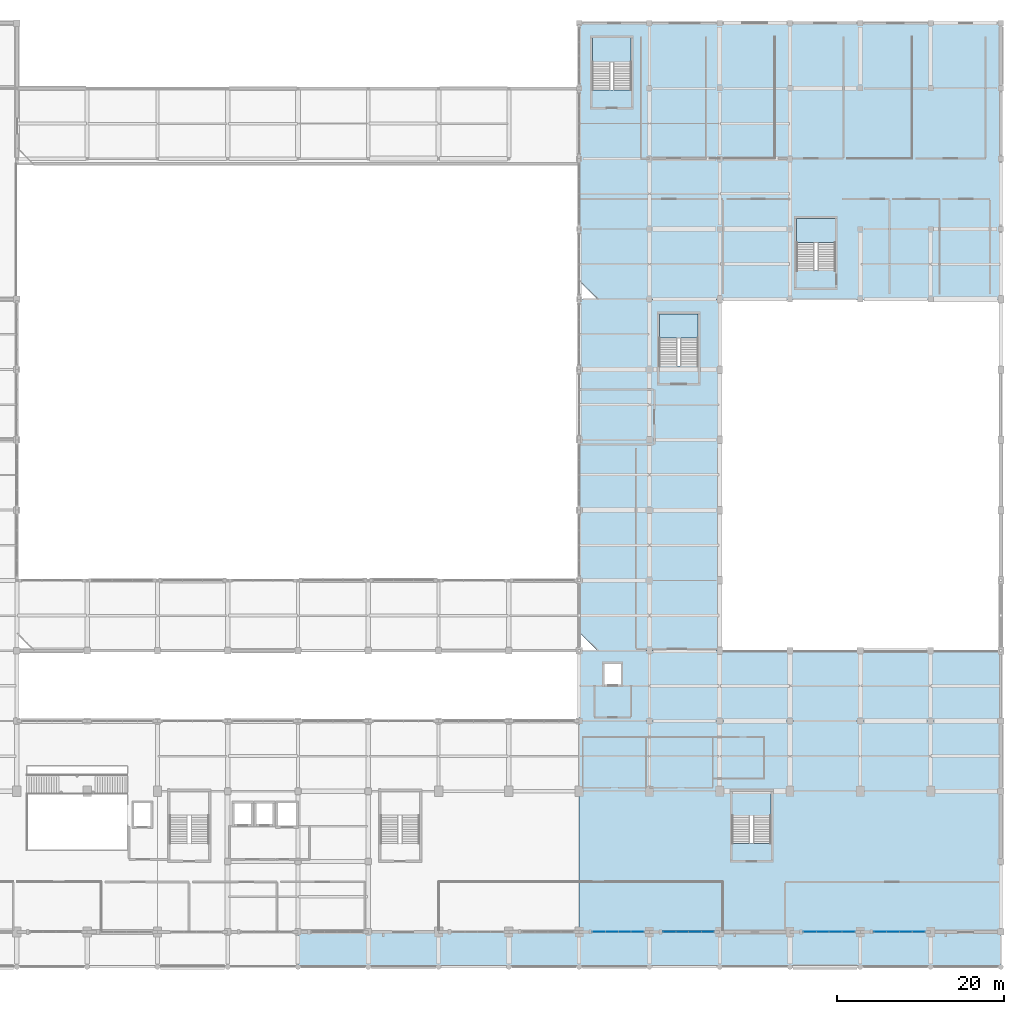
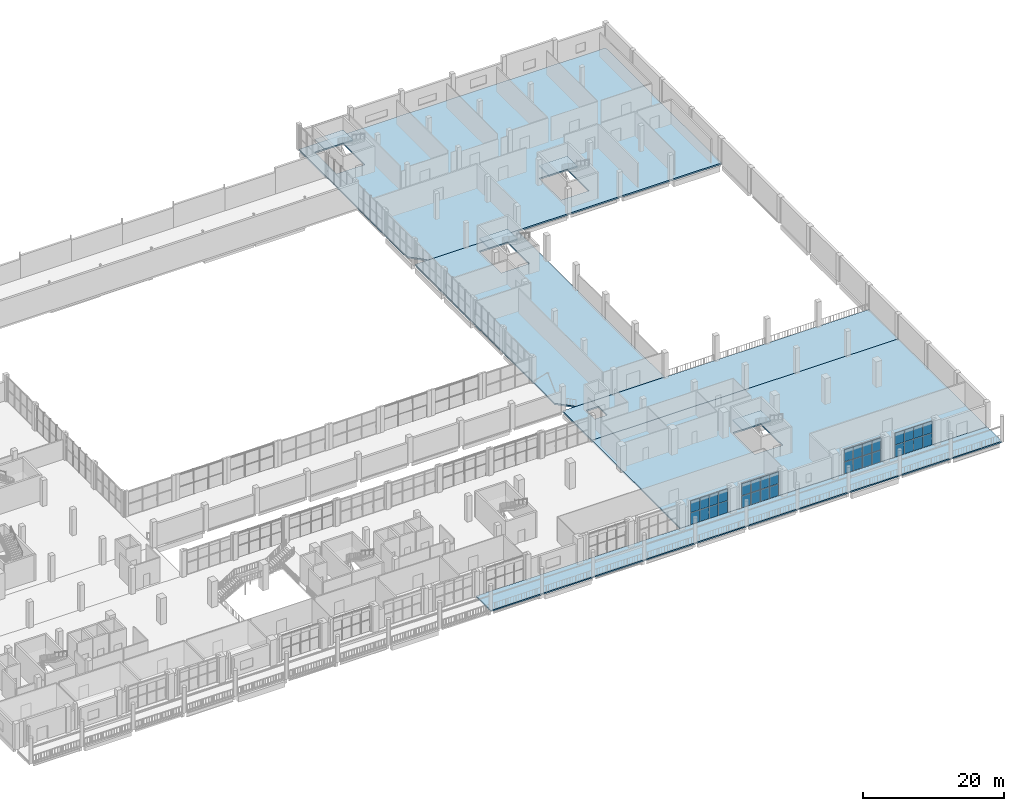
# One storey, part 51 of 75: 32 plates, 9 slabs, 8 elements without a shape of their own.
"""IFC4 building model written with IfcOpenShell, lengths in metres."""

import ifcopenshell
import ifcopenshell.guid

model = None  # the IFC model being written
_history = None  # IfcOwnerHistory: only IFC2X3 demands one
_inside = {}  # id of a spatial element -> (the spatial element, [elements in it])
_under = {}  # id of a project, library or spatial element -> (it, [spatial elements below it])
_declared = {}  # id of a project -> (the project, [libraries it declares])
_typed = {}  # id of a type object -> (the type object, [elements of that type])
_made_of = {}  # id of a material, layer set ... -> (it, [elements and type objects made of it])


def new_model(schema):
    """Start an empty IFC model of exactly this schema.

    Asked for "IFC4X3", IfcOpenShell would pick the latest addendum, in which some entities
    have other attributes; the version numbers below select the first issue.
    IFC2X3 requires an IfcOwnerHistory on every rooted entity: one is made here for all.
    """
    global model, _history
    if schema == "IFC4X3":
        model = ifcopenshell.file(schema_version=(4, 3, 0, 0))
    else:
        model = ifcopenshell.file(schema=schema)
    _inside.clear()
    _under.clear()
    _declared.clear()
    _typed.clear()
    _made_of.clear()
    _history = None
    if model.schema == "IFC2X3":
        org = make("IfcOrganization", Name="unknown")
        user = make(
            "IfcPersonAndOrganization",
            ThePerson=make("IfcPerson", FamilyName="unknown"),
            TheOrganization=org,
        )
        app = make(
            "IfcApplication",
            ApplicationDeveloper=org,
            Version="unknown",
            ApplicationFullName="unknown",
            ApplicationIdentifier="unknown",
        )
        _history = make(
            "IfcOwnerHistory",
            OwningUser=user,
            OwningApplication=app,
            ChangeAction="ADDED",
            CreationDate=0,
        )
    return model


def make(cls, **values):
    """One entity of the class cls with the attributes given. An attribute that is None is left unset."""
    return model.create_entity(
        cls, **{name: value for name, value in values.items() if value is not None}
    )


def rooted(cls, **values):
    """An entity with a GlobalId (a new one), such as an element, a storey or a relation."""
    return make(cls, GlobalId=ifcopenshell.guid.new(), OwnerHistory=_history, **values)


def si_unit(unit_type, name, prefix=None):
    """IfcSIUnit, for example si_unit("LENGTHUNIT", "METRE", prefix="MILLI")."""
    return make("IfcSIUnit", UnitType=unit_type, Prefix=prefix, Name=name)


def derived_unit(unit_type, elements):
    """IfcDerivedUnit: a product of units, each with its exponent."""
    return make(
        "IfcDerivedUnit",
        Elements=[
            make("IfcDerivedUnitElement", Unit=unit, Exponent=power)
            for unit, power in elements
        ],
        UnitType=unit_type,
    )


def assignment(units):
    """IfcUnitAssignment: the units of a project."""
    return None if units is None else make("IfcUnitAssignment", Units=units)


def point(xyz):
    """IfcCartesianPoint."""
    return None if xyz is None else make("IfcCartesianPoint", Coordinates=xyz)


def direction(xyz):
    """IfcDirection."""
    return None if xyz is None else make("IfcDirection", DirectionRatios=xyz)


def frame(location, z_axis=None, x_axis=None):
    """IfcAxis2Placement3D, a coordinate frame: its origin and axes. An axis left out is left unset."""
    return make(
        "IfcAxis2Placement3D",
        Location=point(location),
        Axis=direction(z_axis),
        RefDirection=direction(x_axis),
    )


def frame_2d(location, x_axis=None):
    """IfcAxis2Placement2D, a coordinate frame in the plane: its origin and x axis."""
    return make(
        "IfcAxis2Placement2D", Location=point(location), RefDirection=direction(x_axis)
    )


def origin():
    """The frame at (0, 0, 0) with its axes left unset."""
    return frame((0.0, 0.0, 0.0))


def origin_2d():
    """The frame at (0, 0) in the plane with its x axis left unset."""
    return frame_2d((0.0, 0.0))


def place(relative_to, where):
    """IfcLocalPlacement: puts the frame where relative to a parent placement (None: the world)."""
    return make(
        "IfcLocalPlacement", PlacementRelTo=relative_to, RelativePlacement=where
    )


def context(
    kind, dimensions, precision=None, world=None, true_north=None, identifier=None
):
    """IfcGeometricRepresentationContext, for example the 3D "Model" context."""
    return make(
        "IfcGeometricRepresentationContext",
        ContextIdentifier=identifier,
        ContextType=kind,
        CoordinateSpaceDimension=dimensions,
        Precision=precision,
        WorldCoordinateSystem=world,
        TrueNorth=true_north,
    )


def subcontext(parent, identifier, kind, view, scale=None):
    """IfcGeometricRepresentationSubContext, for example "Body" below "Model"."""
    return make(
        "IfcGeometricRepresentationSubContext",
        ContextIdentifier=identifier,
        ContextType=kind,
        ParentContext=parent,
        TargetScale=scale,
        TargetView=view,
    )


def project(units=None, contexts=None):
    """IfcProject with its units and contexts."""
    return rooted(
        "IfcProject",
        Name="project",
        RepresentationContexts=contexts,
        UnitsInContext=assignment(units),
    )


def spatial(cls, under=None, at=None, **own):
    """A site, building, storey or space (cls), placed at a placement, below another one or the project."""
    s = rooted(cls, ObjectPlacement=at, **own)
    if under is not None:
        _under.setdefault(under.id(), (under, []))[1].append(s)
    return s


def polyline(points):
    """IfcPolyline through the points."""
    return make("IfcPolyline", Points=[point(p) for p in points])


def profile(cls, at=None, kind="AREA", **sizes):
    """A parametric profile (cls). Its sizes go by their IFC names, for example OverallWidth=200.0."""
    return make(cls, ProfileType=kind, Position=at, **sizes)


def rectangle(**sizes):
    """IfcRectangleProfileDef."""
    return profile("IfcRectangleProfileDef", **sizes)


def outline(outer, holes=None, kind="AREA"):
    """IfcArbitraryClosedProfileDef: a profile drawn as a closed curve; with holes, ...WithVoids."""
    if holes is None:
        return make("IfcArbitraryClosedProfileDef", ProfileType=kind, OuterCurve=outer)
    return make(
        "IfcArbitraryProfileDefWithVoids",
        ProfileType=kind,
        OuterCurve=outer,
        InnerCurves=holes,
    )


def extrude(swept, where, along, depth):
    """IfcExtrudedAreaSolid: the profile swept, set in the frame where, extruded along a direction by depth."""
    return make(
        "IfcExtrudedAreaSolid",
        SweptArea=swept,
        Position=where,
        ExtrudedDirection=direction(along),
        Depth=depth,
    )


def shape(context_of_items, identifier, shape_type, items):
    """IfcShapeRepresentation: the items that make up one representation, for example the "Body"."""
    return make(
        "IfcShapeRepresentation",
        ContextOfItems=context_of_items,
        RepresentationIdentifier=identifier,
        RepresentationType=shape_type,
        Items=items,
    )


def material(Name=None, Category=None):
    """IfcMaterial."""
    return make("IfcMaterial", Name=Name, Category=Category)


def layer(
    of_material, thickness, ventilated=None, Name=None, Category=None, Priority=None
):
    """IfcMaterialLayer: one layer of a wall or slab, of a material (None: an air gap)."""
    return make(
        "IfcMaterialLayer",
        Material=of_material,
        LayerThickness=thickness,
        IsVentilated=ventilated,
        Name=Name,
        Category=Category,
        Priority=Priority,
    )


def layer_set(layers, Name=None):
    """IfcMaterialLayerSet."""
    return make("IfcMaterialLayerSet", MaterialLayers=layers, LayerSetName=Name)


def made_of(thing, what):
    """Note that an element or type object is made of a material, layer set ...; save() writes the relation."""
    if what is not None:
        _made_of.setdefault(what.id(), (what, []))[1].append(thing)
    return thing


def type_object(cls, material=None, **own):
    """A type object (cls), such as IfcWallType, which elements share."""
    return made_of(rooted(cls, **own), material)


def element(
    cls,
    number,
    at=None,
    inside=None,
    cuts=None,
    type_object=None,
    material=None,
    context=None,
    identifier="Body",
    shape_type=None,
    held_by="IfcProductDefinitionShape",
    body=None,
    shapes=None,
    **own,
):
    """One element of the class cls, such as IfcWall. Its Tag is "e" and its number.

    at: its placement. inside: the storey or other place that contains it. cuts: it is an
    opening in that element (IfcRelVoidsElement). A single representation is given by context,
    identifier, shape_type and body (its items); several are given by shapes. held_by: the class
    of the entity that holds the representations. save() writes the other relations.
    """
    e = rooted(cls, Tag="e%d" % number, ObjectPlacement=at, **own)
    if body is not None:
        shapes = [shape(context, identifier, shape_type, body)]
    if shapes is not None:
        e.Representation = make(held_by, Representations=shapes)
    if inside is not None:
        _inside.setdefault(inside.id(), (inside, []))[1].append(e)
    if cuts is not None:
        rooted(
            "IfcRelVoidsElement", RelatingBuildingElement=cuts, RelatedOpeningElement=e
        )
    if type_object is not None:
        _typed.setdefault(type_object.id(), (type_object, []))[1].append(e)
    return made_of(e, material)


def aggregate(whole, parts):
    """IfcRelAggregates: a whole, such as a stair, and the parts it consists of."""
    return rooted("IfcRelAggregates", RelatingObject=whole, RelatedObjects=parts)


def save(model, path):
    """Write the relations noted so far, then the file.

    IfcRelAggregates (storeys below a building ...), IfcRelContainedInSpatialStructure (elements
    in a storey), IfcRelDefinesByType, IfcRelAssociatesMaterial and IfcRelDeclares: one each for
    every whole, place, type object, material and project.
    """
    for whole, parts in _under.values():
        aggregate(whole, parts)
    for where, things in _inside.values():
        rooted(
            "IfcRelContainedInSpatialStructure",
            RelatedElements=things,
            RelatingStructure=where,
        )
    for kind, things in _typed.values():
        rooted("IfcRelDefinesByType", RelatedObjects=things, RelatingType=kind)
    for what, things in _made_of.values():
        rooted("IfcRelAssociatesMaterial", RelatedObjects=things, RelatingMaterial=what)
    for by, libraries in _declared.values():
        rooted("IfcRelDeclares", RelatingContext=by, RelatedDefinitions=libraries)
    model.write(path)


model = new_model("IFC4")

# Units and contexts
model_context = context("Model", 3, precision=1e-05, world=origin(), true_north=direction((0.0, 1.0)))
body_context = subcontext(model_context, "Body", "Model", "MODEL_VIEW")
ifc_project = project(units=[si_unit("LENGTHUNIT", "METRE"), si_unit("AREAUNIT", "SQUARE_METRE"), si_unit("VOLUMEUNIT", "CUBIC_METRE"), si_unit("PLANEANGLEUNIT", "RADIAN"), si_unit("MASSUNIT", "GRAM", prefix="KILO"), derived_unit("THERMALTRANSMITTANCEUNIT", [(si_unit("POWERUNIT", "WATT"), 1), (si_unit("LENGTHUNIT", "METRE"), -2), (si_unit("THERMODYNAMICTEMPERATUREUNIT", "KELVIN"), -1)])], contexts=[model_context])

# Site, building, storey
site_placement = place(None, origin())
site = spatial("IfcSite", under=ifc_project, at=site_placement, CompositionType="ELEMENT")
building_placement = place(site_placement, origin())
building = spatial("IfcBuilding", under=site, at=building_placement, Name="Barrovel Congress Hotel", CompositionType="ELEMENT")
storey_placement = place(building_placement, frame((0.0, 0.0, 5.39990234375)))
storey = spatial("IfcBuildingStorey", under=building, at=storey_placement, Name="L01", CompositionType="ELEMENT", Elevation=5.39990234375)

# Curtain wall, plates
ifc_material_1 = material(Name="Anodised Aluminium Alloy 6063-T6", Category="aluminium")
curtain_wall_type = type_object("IfcCurtainWallType", Name="CW-ST-7200x3900", PredefinedType="USERDEFINED", material=ifc_material_1)
curtain_wall_1_placement = place(storey_placement, origin())
curtain_wall_1 = element("IfcCurtainWall", 1, at=curtain_wall_1_placement, inside=storey, type_object=curtain_wall_type, Name="CW:L01:S:16", ObjectType="STICK CURTAIN WALL", PredefinedType="USERDEFINED")
ifc_material_2 = material(Name="Double Low-E Insulated Glazing", Category="glass")
ifc_layer_1 = layer(ifc_material_2, 0.028076171875)
ifc_layer_set_1 = layer_set([ifc_layer_1], Name="Double Low-E Insulated Glazing")
plate_type_1 = type_object("IfcPlateType", Name="CWP-28", PredefinedType="CURTAIN_PANEL", material=ifc_layer_set_1)
plate_1_placement = place(storey_placement, frame((136.784912109375, 4.199951171875, 0.0302734375), z_axis=(0.0, 0.0, 1.0), x_axis=(1.0, 0.0, 0.0)))
plate_1 = element("IfcPlate", 2, at=plate_1_placement, type_object=plate_type_1, Name="CW:L01:S:16:P0-0", PredefinedType="CURTAIN_PANEL", context=body_context, shape_type="SweptSolid", body=[
    extrude(rectangle(XDim=1.469970703125, YDim=0.028076171875, at=origin_2d()), origin(), (0.0, 0.0, 1.0), 2.050048828125),
])
plate_2_placement = place(storey_placement, frame((136.784912109375, 4.199951171875, 2.14013671875), z_axis=(0.0, 0.0, 1.0), x_axis=(1.0, 0.0, 0.0)))
plate_2 = element("IfcPlate", 3, at=plate_2_placement, type_object=plate_type_1, Name="CW:L01:S:16:P0-1", PredefinedType="CURTAIN_PANEL", context=body_context, shape_type="SweptSolid", body=[
    extrude(rectangle(XDim=1.469970703125, YDim=0.028076171875, at=origin_2d()), origin(), (0.0, 0.0, 1.0), 2.050048828125),
])
plate_3_placement = place(storey_placement, frame((138.31494140625, 4.199951171875, 0.0302734375), z_axis=(0.0, 0.0, 1.0), x_axis=(1.0, 0.0, 0.0)))
plate_3 = element("IfcPlate", 4, at=plate_3_placement, type_object=plate_type_1, Name="CW:L01:S:16:P1-0", PredefinedType="CURTAIN_PANEL", context=body_context, shape_type="SweptSolid", body=[
    extrude(rectangle(XDim=1.469970703125, YDim=0.028076171875, at=origin_2d()), origin(), (0.0, 0.0, 1.0), 2.050048828125),
])
plate_4_placement = place(storey_placement, frame((138.31494140625, 4.199951171875, 2.14013671875), z_axis=(0.0, 0.0, 1.0), x_axis=(1.0, 0.0, 0.0)))
plate_4 = element("IfcPlate", 5, at=plate_4_placement, type_object=plate_type_1, Name="CW:L01:S:16:P1-1", PredefinedType="CURTAIN_PANEL", context=body_context, shape_type="SweptSolid", body=[
    extrude(rectangle(XDim=1.469970703125, YDim=0.028076171875, at=origin_2d()), origin(), (0.0, 0.0, 1.0), 2.050048828125),
])
plate_5_placement = place(storey_placement, frame((139.844970703125, 4.199951171875, 0.0302734375), z_axis=(0.0, 0.0, 1.0), x_axis=(1.0, 0.0, 0.0)))
plate_5 = element("IfcPlate", 6, at=plate_5_placement, type_object=plate_type_1, Name="CW:L01:S:16:P2-0", PredefinedType="CURTAIN_PANEL", context=body_context, shape_type="SweptSolid", body=[
    extrude(rectangle(XDim=1.469970703125, YDim=0.028076171875, at=origin_2d()), origin(), (0.0, 0.0, 1.0), 2.050048828125),
])
plate_6_placement = place(storey_placement, frame((139.844970703125, 4.199951171875, 2.14013671875), z_axis=(0.0, 0.0, 1.0), x_axis=(1.0, 0.0, 0.0)))
plate_6 = element("IfcPlate", 7, at=plate_6_placement, type_object=plate_type_1, Name="CW:L01:S:16:P2-1", PredefinedType="CURTAIN_PANEL", context=body_context, shape_type="SweptSolid", body=[
    extrude(rectangle(XDim=1.469970703125, YDim=0.028076171875, at=origin_2d()), origin(), (0.0, 0.0, 1.0), 2.050048828125),
])
plate_7_placement = place(storey_placement, frame((141.375, 4.199951171875, 0.0302734375), z_axis=(0.0, 0.0, 1.0), x_axis=(1.0, 0.0, 0.0)))
plate_7 = element("IfcPlate", 8, at=plate_7_placement, type_object=plate_type_1, Name="CW:L01:S:16:P3-0", PredefinedType="CURTAIN_PANEL", context=body_context, shape_type="SweptSolid", body=[
    extrude(rectangle(XDim=1.469970703125, YDim=0.028076171875, at=origin_2d()), origin(), (0.0, 0.0, 1.0), 2.050048828125),
])
plate_8_placement = place(storey_placement, frame((141.375, 4.199951171875, 2.14013671875), z_axis=(0.0, 0.0, 1.0), x_axis=(1.0, 0.0, 0.0)))
plate_8 = element("IfcPlate", 9, at=plate_8_placement, type_object=plate_type_1, Name="CW:L01:S:16:P3-1", PredefinedType="CURTAIN_PANEL", context=body_context, shape_type="SweptSolid", body=[
    extrude(rectangle(XDim=1.469970703125, YDim=0.028076171875, at=origin_2d()), origin(), (0.0, 0.0, 1.0), 2.050048828125),
])
aggregate(curtain_wall_1, [plate_1, plate_2, plate_3, plate_4, plate_5, plate_6, plate_7, plate_8])

curtain_wall_2_placement = place(storey_placement, origin())
curtain_wall_2 = element("IfcCurtainWall", 10, at=curtain_wall_2_placement, inside=storey, type_object=curtain_wall_type, Name="CW:L01:S:19", ObjectType="STICK CURTAIN WALL", PredefinedType="USERDEFINED")
plate_9_placement = place(storey_placement, frame((161.985107421875, 4.199951171875, 0.0302734375), z_axis=(0.0, 0.0, 1.0), x_axis=(1.0, 0.0, 0.0)))
plate_9 = element("IfcPlate", 11, at=plate_9_placement, type_object=plate_type_1, Name="CW:L01:S:19:P0-0", PredefinedType="CURTAIN_PANEL", context=body_context, shape_type="SweptSolid", body=[
    extrude(rectangle(XDim=1.469970703125, YDim=0.028076171875, at=origin_2d()), origin(), (0.0, 0.0, 1.0), 2.050048828125),
])
plate_10_placement = place(storey_placement, frame((161.985107421875, 4.199951171875, 2.14013671875), z_axis=(0.0, 0.0, 1.0), x_axis=(1.0, 0.0, 0.0)))
plate_10 = element("IfcPlate", 12, at=plate_10_placement, type_object=plate_type_1, Name="CW:L01:S:19:P0-1", PredefinedType="CURTAIN_PANEL", context=body_context, shape_type="SweptSolid", body=[
    extrude(rectangle(XDim=1.469970703125, YDim=0.028076171875, at=origin_2d()), origin(), (0.0, 0.0, 1.0), 2.050048828125),
])
plate_11_placement = place(storey_placement, frame((163.514892578125, 4.199951171875, 0.0302734375), z_axis=(0.0, 0.0, 1.0), x_axis=(1.0, 0.0, 0.0)))
plate_11 = element("IfcPlate", 13, at=plate_11_placement, type_object=plate_type_1, Name="CW:L01:S:19:P1-0", PredefinedType="CURTAIN_PANEL", context=body_context, shape_type="SweptSolid", body=[
    extrude(rectangle(XDim=1.469970703125, YDim=0.028076171875, at=origin_2d()), origin(), (0.0, 0.0, 1.0), 2.050048828125),
])
plate_12_placement = place(storey_placement, frame((163.514892578125, 4.199951171875, 2.14013671875), z_axis=(0.0, 0.0, 1.0), x_axis=(1.0, 0.0, 0.0)))
plate_12 = element("IfcPlate", 14, at=plate_12_placement, type_object=plate_type_1, Name="CW:L01:S:19:P1-1", PredefinedType="CURTAIN_PANEL", context=body_context, shape_type="SweptSolid", body=[
    extrude(rectangle(XDim=1.469970703125, YDim=0.028076171875, at=origin_2d()), origin(), (0.0, 0.0, 1.0), 2.050048828125),
])
plate_13_placement = place(storey_placement, frame((165.044921875, 4.199951171875, 0.0302734375), z_axis=(0.0, 0.0, 1.0), x_axis=(1.0, 0.0, 0.0)))
plate_13 = element("IfcPlate", 15, at=plate_13_placement, type_object=plate_type_1, Name="CW:L01:S:19:P2-0", PredefinedType="CURTAIN_PANEL", context=body_context, shape_type="SweptSolid", body=[
    extrude(rectangle(XDim=1.469970703125, YDim=0.028076171875, at=origin_2d()), origin(), (0.0, 0.0, 1.0), 2.050048828125),
])
plate_14_placement = place(storey_placement, frame((165.044921875, 4.199951171875, 2.14013671875), z_axis=(0.0, 0.0, 1.0), x_axis=(1.0, 0.0, 0.0)))
plate_14 = element("IfcPlate", 16, at=plate_14_placement, type_object=plate_type_1, Name="CW:L01:S:19:P2-1", PredefinedType="CURTAIN_PANEL", context=body_context, shape_type="SweptSolid", body=[
    extrude(rectangle(XDim=1.469970703125, YDim=0.028076171875, at=origin_2d()), origin(), (0.0, 0.0, 1.0), 2.050048828125),
])
plate_15_placement = place(storey_placement, frame((166.574951171875, 4.199951171875, 0.0302734375), z_axis=(0.0, 0.0, 1.0), x_axis=(1.0, 0.0, 0.0)))
plate_15 = element("IfcPlate", 17, at=plate_15_placement, type_object=plate_type_1, Name="CW:L01:S:19:P3-0", PredefinedType="CURTAIN_PANEL", context=body_context, shape_type="SweptSolid", body=[
    extrude(rectangle(XDim=1.469970703125, YDim=0.028076171875, at=origin_2d()), origin(), (0.0, 0.0, 1.0), 2.050048828125),
])
plate_16_placement = place(storey_placement, frame((166.574951171875, 4.199951171875, 2.14013671875), z_axis=(0.0, 0.0, 1.0), x_axis=(1.0, 0.0, 0.0)))
plate_16 = element("IfcPlate", 18, at=plate_16_placement, type_object=plate_type_1, Name="CW:L01:S:19:P3-1", PredefinedType="CURTAIN_PANEL", context=body_context, shape_type="SweptSolid", body=[
    extrude(rectangle(XDim=1.469970703125, YDim=0.028076171875, at=origin_2d()), origin(), (0.0, 0.0, 1.0), 2.050048828125),
])
aggregate(curtain_wall_2, [plate_9, plate_10, plate_11, plate_12, plate_13, plate_14, plate_15, plate_16])

curtain_wall_3_placement = place(storey_placement, origin())
curtain_wall_3 = element("IfcCurtainWall", 19, at=curtain_wall_3_placement, inside=storey, type_object=curtain_wall_type, Name="CW:L01:S:15", ObjectType="STICK CURTAIN WALL", PredefinedType="USERDEFINED")
ifc_layer_2 = layer(ifc_material_2, 0.031982421875)
ifc_layer_set_2 = layer_set([ifc_layer_2], Name="Double Low-E Insulated Glazing")
plate_type_2 = type_object("IfcPlateType", Name="CWP-32", PredefinedType="CURTAIN_PANEL", material=ifc_layer_set_2)
plate_17_placement = place(storey_placement, frame((128.385009765625, 4.199951171875, 0.0302734375), z_axis=(0.0, 0.0, 1.0), x_axis=(1.0, 0.0, 0.0)))
plate_17 = element("IfcPlate", 20, at=plate_17_placement, type_object=plate_type_2, Name="CW:L01:S:15:P0-0", PredefinedType="CURTAIN_PANEL", context=body_context, shape_type="SweptSolid", body=[
    extrude(rectangle(XDim=1.469970703125, YDim=0.031982421875, at=origin_2d()), origin(), (0.0, 0.0, 1.0), 2.050048828125),
])
plate_18_placement = place(storey_placement, frame((128.385009765625, 4.199951171875, 2.14013671875), z_axis=(0.0, 0.0, 1.0), x_axis=(1.0, 0.0, 0.0)))
plate_18 = element("IfcPlate", 21, at=plate_18_placement, type_object=plate_type_2, Name="CW:L01:S:15:P0-1", PredefinedType="CURTAIN_PANEL", context=body_context, shape_type="SweptSolid", body=[
    extrude(rectangle(XDim=1.469970703125, YDim=0.031982421875, at=origin_2d()), origin(), (0.0, 0.0, 1.0), 2.050048828125),
])
plate_19_placement = place(storey_placement, frame((129.9150390625, 4.199951171875, 0.0302734375), z_axis=(0.0, 0.0, 1.0), x_axis=(1.0, 0.0, 0.0)))
plate_19 = element("IfcPlate", 22, at=plate_19_placement, type_object=plate_type_2, Name="CW:L01:S:15:P1-0", PredefinedType="CURTAIN_PANEL", context=body_context, shape_type="SweptSolid", body=[
    extrude(rectangle(XDim=1.469970703125, YDim=0.031982421875, at=origin_2d()), origin(), (0.0, 0.0, 1.0), 2.050048828125),
])
plate_20_placement = place(storey_placement, frame((129.9150390625, 4.199951171875, 2.14013671875), z_axis=(0.0, 0.0, 1.0), x_axis=(1.0, 0.0, 0.0)))
plate_20 = element("IfcPlate", 23, at=plate_20_placement, type_object=plate_type_2, Name="CW:L01:S:15:P1-1", PredefinedType="CURTAIN_PANEL", context=body_context, shape_type="SweptSolid", body=[
    extrude(rectangle(XDim=1.469970703125, YDim=0.031982421875, at=origin_2d()), origin(), (0.0, 0.0, 1.0), 2.050048828125),
])
plate_21_placement = place(storey_placement, frame((131.445068359375, 4.199951171875, 0.0302734375), z_axis=(0.0, 0.0, 1.0), x_axis=(1.0, 0.0, 0.0)))
plate_21 = element("IfcPlate", 24, at=plate_21_placement, type_object=plate_type_2, Name="CW:L01:S:15:P2-0", PredefinedType="CURTAIN_PANEL", context=body_context, shape_type="SweptSolid", body=[
    extrude(rectangle(XDim=1.469970703125, YDim=0.031982421875, at=origin_2d()), origin(), (0.0, 0.0, 1.0), 2.050048828125),
])
plate_22_placement = place(storey_placement, frame((131.445068359375, 4.199951171875, 2.14013671875), z_axis=(0.0, 0.0, 1.0), x_axis=(1.0, 0.0, 0.0)))
plate_22 = element("IfcPlate", 25, at=plate_22_placement, type_object=plate_type_2, Name="CW:L01:S:15:P2-1", PredefinedType="CURTAIN_PANEL", context=body_context, shape_type="SweptSolid", body=[
    extrude(rectangle(XDim=1.469970703125, YDim=0.031982421875, at=origin_2d()), origin(), (0.0, 0.0, 1.0), 2.050048828125),
])
plate_23_placement = place(storey_placement, frame((132.97509765625, 4.199951171875, 0.0302734375), z_axis=(0.0, 0.0, 1.0), x_axis=(1.0, 0.0, 0.0)))
plate_23 = element("IfcPlate", 26, at=plate_23_placement, type_object=plate_type_2, Name="CW:L01:S:15:P3-0", PredefinedType="CURTAIN_PANEL", context=body_context, shape_type="SweptSolid", body=[
    extrude(rectangle(XDim=1.469970703125, YDim=0.031982421875, at=origin_2d()), origin(), (0.0, 0.0, 1.0), 2.050048828125),
])
plate_24_placement = place(storey_placement, frame((132.97509765625, 4.199951171875, 2.14013671875), z_axis=(0.0, 0.0, 1.0), x_axis=(1.0, 0.0, 0.0)))
plate_24 = element("IfcPlate", 27, at=plate_24_placement, type_object=plate_type_2, Name="CW:L01:S:15:P3-1", PredefinedType="CURTAIN_PANEL", context=body_context, shape_type="SweptSolid", body=[
    extrude(rectangle(XDim=1.469970703125, YDim=0.031982421875, at=origin_2d()), origin(), (0.0, 0.0, 1.0), 2.050048828125),
])
aggregate(curtain_wall_3, [plate_17, plate_18, plate_19, plate_20, plate_21, plate_22, plate_23, plate_24])

curtain_wall_4_placement = place(storey_placement, origin())
curtain_wall_4 = element("IfcCurtainWall", 28, at=curtain_wall_4_placement, inside=storey, type_object=curtain_wall_type, Name="CW:L01:S:18", ObjectType="STICK CURTAIN WALL", PredefinedType="USERDEFINED")
plate_25_placement = place(storey_placement, frame((153.5849609375, 4.199951171875, 0.0302734375), z_axis=(0.0, 0.0, 1.0), x_axis=(1.0, 0.0, 0.0)))
plate_25 = element("IfcPlate", 29, at=plate_25_placement, type_object=plate_type_2, Name="CW:L01:S:18:P0-0", PredefinedType="CURTAIN_PANEL", context=body_context, shape_type="SweptSolid", body=[
    extrude(rectangle(XDim=1.469970703125, YDim=0.031982421875, at=origin_2d()), origin(), (0.0, 0.0, 1.0), 2.050048828125),
])
plate_26_placement = place(storey_placement, frame((153.5849609375, 4.199951171875, 2.14013671875), z_axis=(0.0, 0.0, 1.0), x_axis=(1.0, 0.0, 0.0)))
plate_26 = element("IfcPlate", 30, at=plate_26_placement, type_object=plate_type_2, Name="CW:L01:S:18:P0-1", PredefinedType="CURTAIN_PANEL", context=body_context, shape_type="SweptSolid", body=[
    extrude(rectangle(XDim=1.469970703125, YDim=0.031982421875, at=origin_2d()), origin(), (0.0, 0.0, 1.0), 2.050048828125),
])
plate_27_placement = place(storey_placement, frame((155.114990234375, 4.199951171875, 0.0302734375), z_axis=(0.0, 0.0, 1.0), x_axis=(1.0, 0.0, 0.0)))
plate_27 = element("IfcPlate", 31, at=plate_27_placement, type_object=plate_type_2, Name="CW:L01:S:18:P1-0", PredefinedType="CURTAIN_PANEL", context=body_context, shape_type="SweptSolid", body=[
    extrude(rectangle(XDim=1.469970703125, YDim=0.031982421875, at=origin_2d()), origin(), (0.0, 0.0, 1.0), 2.050048828125),
])
plate_28_placement = place(storey_placement, frame((155.114990234375, 4.199951171875, 2.14013671875), z_axis=(0.0, 0.0, 1.0), x_axis=(1.0, 0.0, 0.0)))
plate_28 = element("IfcPlate", 32, at=plate_28_placement, type_object=plate_type_2, Name="CW:L01:S:18:P1-1", PredefinedType="CURTAIN_PANEL", context=body_context, shape_type="SweptSolid", body=[
    extrude(rectangle(XDim=1.469970703125, YDim=0.031982421875, at=origin_2d()), origin(), (0.0, 0.0, 1.0), 2.050048828125),
])
plate_29_placement = place(storey_placement, frame((156.64501953125, 4.199951171875, 0.0302734375), z_axis=(0.0, 0.0, 1.0), x_axis=(1.0, 0.0, 0.0)))
plate_29 = element("IfcPlate", 33, at=plate_29_placement, type_object=plate_type_2, Name="CW:L01:S:18:P2-0", PredefinedType="CURTAIN_PANEL", context=body_context, shape_type="SweptSolid", body=[
    extrude(rectangle(XDim=1.469970703125, YDim=0.031982421875, at=origin_2d()), origin(), (0.0, 0.0, 1.0), 2.050048828125),
])
plate_30_placement = place(storey_placement, frame((156.64501953125, 4.199951171875, 2.14013671875), z_axis=(0.0, 0.0, 1.0), x_axis=(1.0, 0.0, 0.0)))
plate_30 = element("IfcPlate", 34, at=plate_30_placement, type_object=plate_type_2, Name="CW:L01:S:18:P2-1", PredefinedType="CURTAIN_PANEL", context=body_context, shape_type="SweptSolid", body=[
    extrude(rectangle(XDim=1.469970703125, YDim=0.031982421875, at=origin_2d()), origin(), (0.0, 0.0, 1.0), 2.050048828125),
])
plate_31_placement = place(storey_placement, frame((158.175048828125, 4.199951171875, 0.0302734375), z_axis=(0.0, 0.0, 1.0), x_axis=(1.0, 0.0, 0.0)))
plate_31 = element("IfcPlate", 35, at=plate_31_placement, type_object=plate_type_2, Name="CW:L01:S:18:P3-0", PredefinedType="CURTAIN_PANEL", context=body_context, shape_type="SweptSolid", body=[
    extrude(rectangle(XDim=1.469970703125, YDim=0.031982421875, at=origin_2d()), origin(), (0.0, 0.0, 1.0), 2.050048828125),
])
plate_32_placement = place(storey_placement, frame((158.175048828125, 4.199951171875, 2.14013671875), z_axis=(0.0, 0.0, 1.0), x_axis=(1.0, 0.0, 0.0)))
plate_32 = element("IfcPlate", 36, at=plate_32_placement, type_object=plate_type_2, Name="CW:L01:S:18:P3-1", PredefinedType="CURTAIN_PANEL", context=body_context, shape_type="SweptSolid", body=[
    extrude(rectangle(XDim=1.469970703125, YDim=0.031982421875, at=origin_2d()), origin(), (0.0, 0.0, 1.0), 2.050048828125),
])
aggregate(curtain_wall_4, [plate_25, plate_26, plate_27, plate_28, plate_29, plate_30, plate_31, plate_32])

# Slabs
ifc_material_3 = material(Name="Concrete C35", Category="concrete")
ifc_layer_3 = layer(ifc_material_3, 0.219970703125)
ifc_layer_set_3 = layer_set([ifc_layer_3], Name="Concrete C35")
slab_type_1 = type_object("IfcSlabType", Name="SL-F220", PredefinedType="FLOOR", material=ifc_layer_set_3)
slab_1_placement = place(storey_placement, frame((0.0, 0.0, -0.219970703125)))
element("IfcSlab", 37, at=slab_1_placement, inside=storey, type_object=slab_type_1, Name="SLAB:L01:V5-ARCADE-E", PredefinedType="FLOOR", context=body_context, shape_type="SweptSolid", body=[
    extrude(outline(polyline([(92.39990234375, 0.0), (176.39990234375, 0.0), (176.39990234375, 4.199951171875), (92.39990234375, 4.199951171875), (92.39990234375, 0.0)])), origin(), (0.0, 0.0, 1.0), 0.219970703125),
])
ifc_layer_4 = layer(ifc_material_3, 0.260009765625)
ifc_layer_set_4 = layer_set([ifc_layer_4], Name="Concrete C35")
slab_type_2 = type_object("IfcSlabType", Name="SL-F260", PredefinedType="FLOOR", material=ifc_layer_set_4)
slab_2_placement = place(storey_placement, frame((0.0, 0.0, -0.260009765625)))
element("IfcSlab", 38, at=slab_2_placement, inside=storey, type_object=slab_type_2, Name="SLAB:L01:V4-3", PredefinedType="FLOOR", context=body_context, shape_type="SweptSolid", body=[
    extrude(outline(polyline([(126.0, 4.199951171875), (176.39990234375, 4.199951171875), (176.39990234375, 29.39990234375), (126.0, 29.39990234375), (126.0, 4.199951171875)]), holes=[polyline([(144.300048828125, 14.780029296875), (144.300048828125, 21.0), (148.89990234375, 21.0), (148.89990234375, 14.780029296875), (144.300048828125, 14.780029296875)])]), origin(), (0.0, 0.0, 1.0), 0.260009765625),
])
slab_3_placement = place(storey_placement, frame((0.0, 0.0, -0.260009765625)))
element("IfcSlab", 39, at=slab_3_placement, inside=storey, type_object=slab_type_2, Name="SLAB:L01:V4-5", PredefinedType="FLOOR", context=body_context, shape_type="SweptSolid", body=[
    extrude(outline(polyline([(126.0, 29.39990234375), (176.39990234375, 29.39990234375), (176.39990234375, 37.800048828125), (126.0, 37.800048828125), (126.0, 29.39990234375)]), holes=[polyline([(129.0, 33.75), (129.0, 36.25), (131.0, 36.25), (131.0, 33.75), (129.0, 33.75)])]), origin(), (0.0, 0.0, 1.0), 0.260009765625),
])
slab_4_placement = place(storey_placement, frame((0.0, 0.0, -0.260009765625)))
element("IfcSlab", 40, at=slab_4_placement, inside=storey, type_object=slab_type_2, Name="SLAB:L01:V2-SALON", PredefinedType="FLOOR", context=body_context, shape_type="SweptSolid", body=[
    extrude(outline(polyline([(128.199951171875, 37.800048828125), (142.800048828125, 37.800048828125), (142.800048828125, 79.800048828125), (126.0, 79.800048828125), (126.0, 40.0), (128.199951171875, 37.800048828125)]), holes=[polyline([(135.60009765625, 71.820068359375), (135.60009765625, 78.0400390625), (140.199951171875, 78.0400390625), (140.199951171875, 71.820068359375), (135.60009765625, 71.820068359375)])]), origin(), (0.0, 0.0, 1.0), 0.260009765625),
])
slab_5_placement = place(storey_placement, frame((0.0, 0.0, -0.260009765625)))
element("IfcSlab", 41, at=slab_5_placement, inside=storey, type_object=slab_type_2, Name="SLAB:L01:V3-SPA", PredefinedType="FLOOR", context=body_context, shape_type="SweptSolid", body=[
    extrude(outline(polyline([(128.199951171875, 79.800048828125), (176.39990234375, 79.800048828125), (176.39990234375, 112.800048828125), (126.0, 112.800048828125), (126.0, 82.0), (128.199951171875, 79.800048828125)]), holes=[polyline([(152.0, 83.219970703125), (152.0, 89.43994140625), (156.60009765625, 89.43994140625), (156.60009765625, 83.219970703125), (152.0, 83.219970703125)]), polyline([(127.60009765625, 104.820068359375), (127.60009765625, 111.0400390625), (132.199951171875, 111.0400390625), (132.199951171875, 104.820068359375), (127.60009765625, 104.820068359375)])]), origin(), (0.0, 0.0, 1.0), 0.260009765625),
])

# Stair, slab
ifc_material_4 = material(Name="Concrete C40", Category="concrete")
stair_type_1 = type_object("IfcStairType", Name="STR-HT-450", PredefinedType="HALF_TURN_STAIR", material=ifc_material_4)
stair_1_placement = place(storey_placement, origin())
stair_1 = element("IfcStair", 42, at=stair_1_placement, inside=storey, type_object=stair_type_1, Name="Exit Stair XS-04 (L01)", PredefinedType="HALF_TURN_STAIR")
ifc_layer_5 = layer(ifc_material_4, 0.18994140625)
ifc_layer_set_5 = layer_set([ifc_layer_5], Name="Concrete C40")
slab_type_3 = type_object("IfcSlabType", Name="SL-LDG-190", PredefinedType="LANDING", material=ifc_layer_set_5)
slab_6_placement = place(storey_placement, frame((0.0, 0.0, 2.06005859375)))
slab_6 = element("IfcSlab", 43, at=slab_6_placement, type_object=slab_type_3, Name="STAIR:XS-04:L01:LDG", PredefinedType="LANDING", context=body_context, shape_type="SweptSolid", body=[
    extrude(outline(polyline([(144.280029296875, 18.1298828125), (148.919921875, 18.1298828125), (148.919921875, 21.02001953125), (144.280029296875, 21.02001953125), (144.280029296875, 18.1298828125)])), origin(), (0.0, 0.0, 1.0), 0.18994140625),
])
aggregate(stair_1, [slab_6])

stair_type_2 = type_object("IfcStairType", Name="STR-2Q-450", PredefinedType="TWO_QUARTER_TURN_STAIR", material=ifc_material_4)
stair_2_placement = place(storey_placement, origin())
stair_2 = element("IfcStair", 44, at=stair_2_placement, inside=storey, type_object=stair_type_2, Name="Exit Stair XS-10 (L01)", PredefinedType="TWO_QUARTER_TURN_STAIR")
slab_7_placement = place(storey_placement, frame((0.0, 0.0, 2.06005859375)))
slab_7 = element("IfcSlab", 45, at=slab_7_placement, type_object=slab_type_3, Name="STAIR:XS-10:L01:LDG", PredefinedType="LANDING", context=body_context, shape_type="SweptSolid", body=[
    extrude(outline(polyline([(127.580078125, 108.169921875), (132.219970703125, 108.169921875), (132.219970703125, 111.06005859375), (127.580078125, 111.06005859375), (127.580078125, 108.169921875)])), origin(), (0.0, 0.0, 1.0), 0.18994140625),
])
aggregate(stair_2, [slab_7])

stair_3_placement = place(storey_placement, origin())
stair_3 = element("IfcStair", 46, at=stair_3_placement, inside=storey, type_object=stair_type_1, Name="Exit Stair XS-06 (L01)", PredefinedType="HALF_TURN_STAIR")
ifc_layer_6 = layer(ifc_material_4, 0.22998046875)
ifc_layer_set_6 = layer_set([ifc_layer_6], Name="Concrete C40")
slab_type_4 = type_object("IfcSlabType", Name="SL-LDG-230", PredefinedType="LANDING", material=ifc_layer_set_6)
slab_8_placement = place(storey_placement, frame((0.0, 0.0, 2.02001953125)))
slab_8 = element("IfcSlab", 47, at=slab_8_placement, type_object=slab_type_4, Name="STAIR:XS-06:L01:LDG", PredefinedType="LANDING", context=body_context, shape_type="SweptSolid", body=[
    extrude(outline(polyline([(151.97998046875, 86.570068359375), (156.6201171875, 86.570068359375), (156.6201171875, 89.4599609375), (151.97998046875, 89.4599609375), (151.97998046875, 86.570068359375)])), origin(), (0.0, 0.0, 1.0), 0.22998046875),
])
aggregate(stair_3, [slab_8])

stair_4_placement = place(storey_placement, origin())
stair_4 = element("IfcStair", 48, at=stair_4_placement, inside=storey, type_object=stair_type_2, Name="Exit Stair XS-09 (L01)", PredefinedType="TWO_QUARTER_TURN_STAIR")
slab_9_placement = place(storey_placement, frame((0.0, 0.0, 2.02001953125)))
slab_9 = element("IfcSlab", 49, at=slab_9_placement, type_object=slab_type_4, Name="STAIR:XS-09:L01:LDG", PredefinedType="LANDING", context=body_context, shape_type="SweptSolid", body=[
    extrude(outline(polyline([(135.580078125, 75.169921875), (140.219970703125, 75.169921875), (140.219970703125, 78.06005859375), (135.580078125, 78.06005859375), (135.580078125, 75.169921875)])), origin(), (0.0, 0.0, 1.0), 0.22998046875),
])
aggregate(stair_4, [slab_9])

save(model, "model.ifc")
